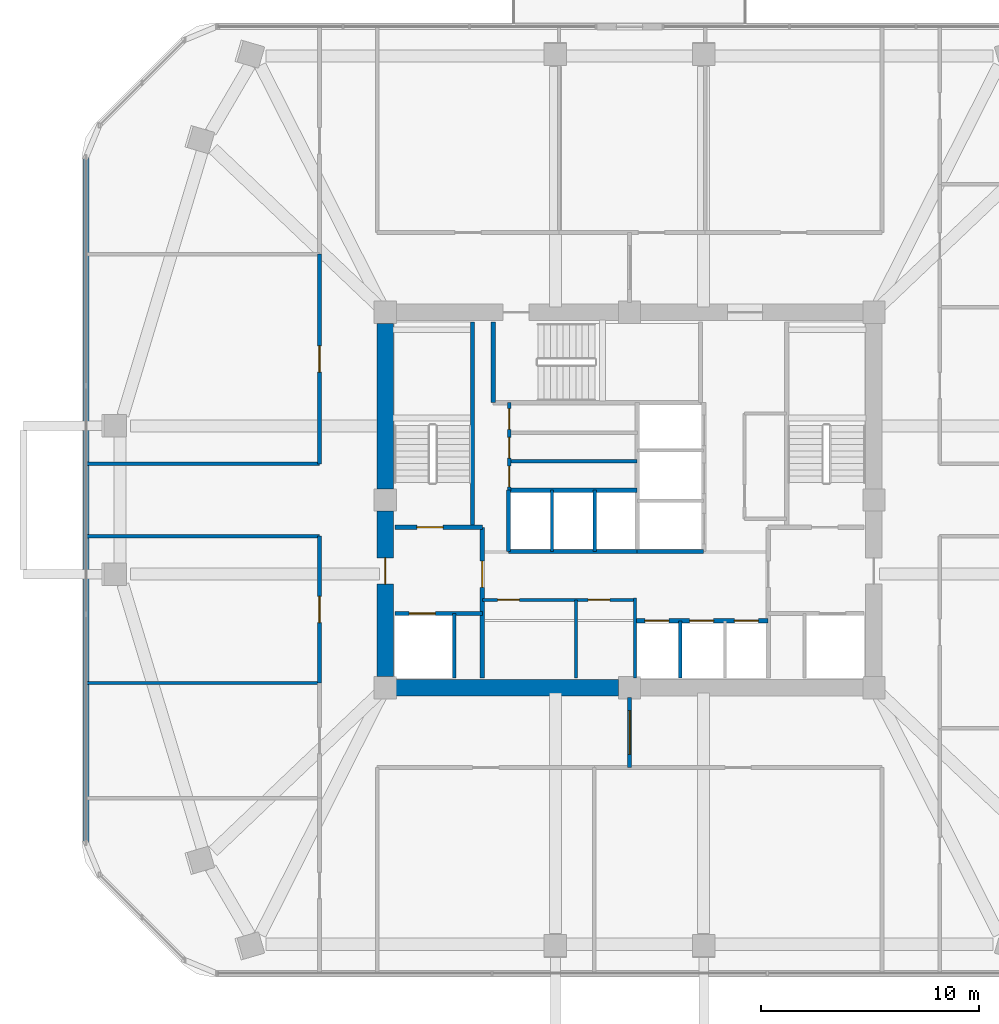
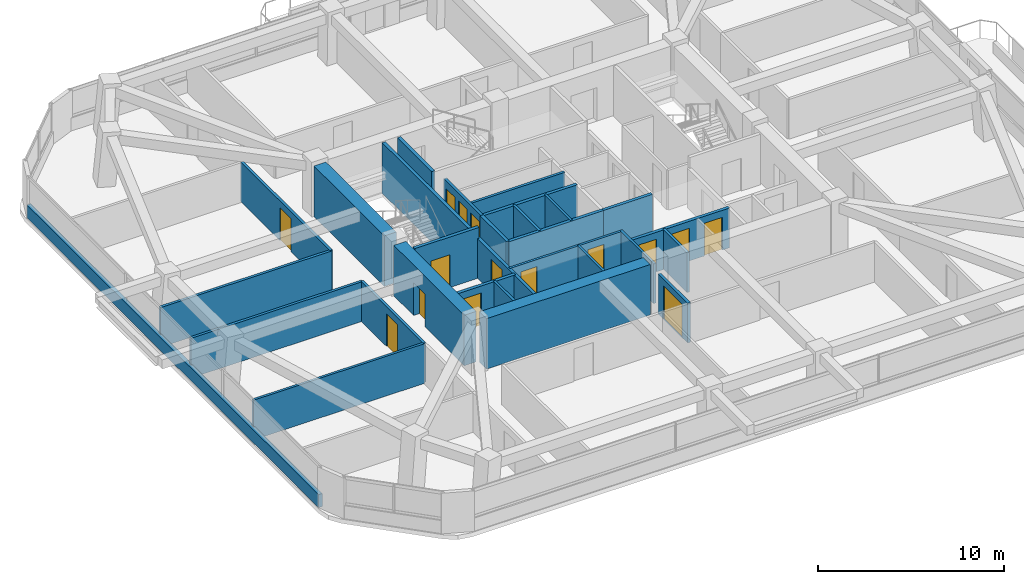
# One storey, part 9 of 13: 29 walls, 15 doors, 15 openings.
"""IFC4 building model written with IfcOpenShell, lengths in metres."""

import ifcopenshell
import ifcopenshell.guid

model = None  # the IFC model being written
_history = None  # IfcOwnerHistory: only IFC2X3 demands one
_inside = {}  # id of a spatial element -> (the spatial element, [elements in it])
_under = {}  # id of a project, library or spatial element -> (it, [spatial elements below it])
_declared = {}  # id of a project -> (the project, [libraries it declares])
_typed = {}  # id of a type object -> (the type object, [elements of that type])
_made_of = {}  # id of a material, layer set ... -> (it, [elements and type objects made of it])


def new_model(schema):
    """Start an empty IFC model of exactly this schema.

    Asked for "IFC4X3", IfcOpenShell would pick the latest addendum, in which some entities
    have other attributes; the version numbers below select the first issue.
    IFC2X3 requires an IfcOwnerHistory on every rooted entity: one is made here for all.
    """
    global model, _history
    if schema == "IFC4X3":
        model = ifcopenshell.file(schema_version=(4, 3, 0, 0))
    else:
        model = ifcopenshell.file(schema=schema)
    _inside.clear()
    _under.clear()
    _declared.clear()
    _typed.clear()
    _made_of.clear()
    _history = None
    if model.schema == "IFC2X3":
        org = make("IfcOrganization", Name="unknown")
        user = make(
            "IfcPersonAndOrganization",
            ThePerson=make("IfcPerson", FamilyName="unknown"),
            TheOrganization=org,
        )
        app = make(
            "IfcApplication",
            ApplicationDeveloper=org,
            Version="unknown",
            ApplicationFullName="unknown",
            ApplicationIdentifier="unknown",
        )
        _history = make(
            "IfcOwnerHistory",
            OwningUser=user,
            OwningApplication=app,
            ChangeAction="ADDED",
            CreationDate=0,
        )
    return model


def make(cls, **values):
    """One entity of the class cls with the attributes given. An attribute that is None is left unset."""
    return model.create_entity(
        cls, **{name: value for name, value in values.items() if value is not None}
    )


def rooted(cls, **values):
    """An entity with a GlobalId (a new one), such as an element, a storey or a relation."""
    return make(cls, GlobalId=ifcopenshell.guid.new(), OwnerHistory=_history, **values)


def si_unit(unit_type, name, prefix=None):
    """IfcSIUnit, for example si_unit("LENGTHUNIT", "METRE", prefix="MILLI")."""
    return make("IfcSIUnit", UnitType=unit_type, Prefix=prefix, Name=name)


def derived_unit(unit_type, elements):
    """IfcDerivedUnit: a product of units, each with its exponent."""
    return make(
        "IfcDerivedUnit",
        Elements=[
            make("IfcDerivedUnitElement", Unit=unit, Exponent=power)
            for unit, power in elements
        ],
        UnitType=unit_type,
    )


def assignment(units):
    """IfcUnitAssignment: the units of a project."""
    return None if units is None else make("IfcUnitAssignment", Units=units)


def point(xyz):
    """IfcCartesianPoint."""
    return None if xyz is None else make("IfcCartesianPoint", Coordinates=xyz)


def direction(xyz):
    """IfcDirection."""
    return None if xyz is None else make("IfcDirection", DirectionRatios=xyz)


def frame(location, z_axis=None, x_axis=None):
    """IfcAxis2Placement3D, a coordinate frame: its origin and axes. An axis left out is left unset."""
    return make(
        "IfcAxis2Placement3D",
        Location=point(location),
        Axis=direction(z_axis),
        RefDirection=direction(x_axis),
    )


def frame_2d(location, x_axis=None):
    """IfcAxis2Placement2D, a coordinate frame in the plane: its origin and x axis."""
    return make(
        "IfcAxis2Placement2D", Location=point(location), RefDirection=direction(x_axis)
    )


def origin():
    """The frame at (0, 0, 0) with its axes left unset."""
    return frame((0.0, 0.0, 0.0))


def place(relative_to, where):
    """IfcLocalPlacement: puts the frame where relative to a parent placement (None: the world)."""
    return make(
        "IfcLocalPlacement", PlacementRelTo=relative_to, RelativePlacement=where
    )


def context(
    kind, dimensions, precision=None, world=None, true_north=None, identifier=None
):
    """IfcGeometricRepresentationContext, for example the 3D "Model" context."""
    return make(
        "IfcGeometricRepresentationContext",
        ContextIdentifier=identifier,
        ContextType=kind,
        CoordinateSpaceDimension=dimensions,
        Precision=precision,
        WorldCoordinateSystem=world,
        TrueNorth=true_north,
    )


def subcontext(parent, identifier, kind, view, scale=None):
    """IfcGeometricRepresentationSubContext, for example "Body" below "Model"."""
    return make(
        "IfcGeometricRepresentationSubContext",
        ContextIdentifier=identifier,
        ContextType=kind,
        ParentContext=parent,
        TargetScale=scale,
        TargetView=view,
    )


def project(units=None, contexts=None):
    """IfcProject with its units and contexts."""
    return rooted(
        "IfcProject",
        Name="project",
        RepresentationContexts=contexts,
        UnitsInContext=assignment(units),
    )


def spatial(cls, under=None, at=None, **own):
    """A site, building, storey or space (cls), placed at a placement, below another one or the project."""
    s = rooted(cls, ObjectPlacement=at, **own)
    if under is not None:
        _under.setdefault(under.id(), (under, []))[1].append(s)
    return s


def profile(cls, at=None, kind="AREA", **sizes):
    """A parametric profile (cls). Its sizes go by their IFC names, for example OverallWidth=200.0."""
    return make(cls, ProfileType=kind, Position=at, **sizes)


def rectangle(**sizes):
    """IfcRectangleProfileDef."""
    return profile("IfcRectangleProfileDef", **sizes)


def extrude(swept, where, along, depth):
    """IfcExtrudedAreaSolid: the profile swept, set in the frame where, extruded along a direction by depth."""
    return make(
        "IfcExtrudedAreaSolid",
        SweptArea=swept,
        Position=where,
        ExtrudedDirection=direction(along),
        Depth=depth,
    )


def shape(context_of_items, identifier, shape_type, items):
    """IfcShapeRepresentation: the items that make up one representation, for example the "Body"."""
    return make(
        "IfcShapeRepresentation",
        ContextOfItems=context_of_items,
        RepresentationIdentifier=identifier,
        RepresentationType=shape_type,
        Items=items,
    )


def material(Name=None, Category=None):
    """IfcMaterial."""
    return make("IfcMaterial", Name=Name, Category=Category)


def layer(
    of_material, thickness, ventilated=None, Name=None, Category=None, Priority=None
):
    """IfcMaterialLayer: one layer of a wall or slab, of a material (None: an air gap)."""
    return make(
        "IfcMaterialLayer",
        Material=of_material,
        LayerThickness=thickness,
        IsVentilated=ventilated,
        Name=Name,
        Category=Category,
        Priority=Priority,
    )


def layer_set(layers, Name=None):
    """IfcMaterialLayerSet."""
    return make("IfcMaterialLayerSet", MaterialLayers=layers, LayerSetName=Name)


def made_of(thing, what):
    """Note that an element or type object is made of a material, layer set ...; save() writes the relation."""
    if what is not None:
        _made_of.setdefault(what.id(), (what, []))[1].append(thing)
    return thing


def type_object(cls, material=None, **own):
    """A type object (cls), such as IfcWallType, which elements share."""
    return made_of(rooted(cls, **own), material)


def element(
    cls,
    number,
    at=None,
    inside=None,
    cuts=None,
    type_object=None,
    material=None,
    context=None,
    identifier="Body",
    shape_type=None,
    held_by="IfcProductDefinitionShape",
    body=None,
    shapes=None,
    **own,
):
    """One element of the class cls, such as IfcWall. Its Tag is "e" and its number.

    at: its placement. inside: the storey or other place that contains it. cuts: it is an
    opening in that element (IfcRelVoidsElement). A single representation is given by context,
    identifier, shape_type and body (its items); several are given by shapes. held_by: the class
    of the entity that holds the representations. save() writes the other relations.
    """
    e = rooted(cls, Tag="e%d" % number, ObjectPlacement=at, **own)
    if body is not None:
        shapes = [shape(context, identifier, shape_type, body)]
    if shapes is not None:
        e.Representation = make(held_by, Representations=shapes)
    if inside is not None:
        _inside.setdefault(inside.id(), (inside, []))[1].append(e)
    if cuts is not None:
        rooted(
            "IfcRelVoidsElement", RelatingBuildingElement=cuts, RelatedOpeningElement=e
        )
    if type_object is not None:
        _typed.setdefault(type_object.id(), (type_object, []))[1].append(e)
    return made_of(e, material)


def fill(opening, filler):
    """IfcRelFillsElement: the door or window that sits in an opening."""
    return rooted(
        "IfcRelFillsElement",
        RelatingOpeningElement=opening,
        RelatedBuildingElement=filler,
    )


def aggregate(whole, parts):
    """IfcRelAggregates: a whole, such as a stair, and the parts it consists of."""
    return rooted("IfcRelAggregates", RelatingObject=whole, RelatedObjects=parts)


def save(model, path):
    """Write the relations noted so far, then the file.

    IfcRelAggregates (storeys below a building ...), IfcRelContainedInSpatialStructure (elements
    in a storey), IfcRelDefinesByType, IfcRelAssociatesMaterial and IfcRelDeclares: one each for
    every whole, place, type object, material and project.
    """
    for whole, parts in _under.values():
        aggregate(whole, parts)
    for where, things in _inside.values():
        rooted(
            "IfcRelContainedInSpatialStructure",
            RelatedElements=things,
            RelatingStructure=where,
        )
    for kind, things in _typed.values():
        rooted("IfcRelDefinesByType", RelatedObjects=things, RelatingType=kind)
    for what, things in _made_of.values():
        rooted("IfcRelAssociatesMaterial", RelatedObjects=things, RelatingMaterial=what)
    for by, libraries in _declared.values():
        rooted("IfcRelDeclares", RelatingContext=by, RelatedDefinitions=libraries)
    model.write(path)


model = new_model("IFC4")

# Units and contexts
model_context = context("Model", 3, precision=1e-05, world=origin(), true_north=direction((0.0, 1.0)))
body_context = subcontext(model_context, "Body", "Model", "MODEL_VIEW")
ifc_project = project(units=[si_unit("LENGTHUNIT", "METRE"), si_unit("AREAUNIT", "SQUARE_METRE"), si_unit("VOLUMEUNIT", "CUBIC_METRE"), si_unit("PLANEANGLEUNIT", "RADIAN"), si_unit("MASSUNIT", "GRAM", prefix="KILO"), derived_unit("THERMALTRANSMITTANCEUNIT", [(si_unit("POWERUNIT", "WATT"), 1), (si_unit("LENGTHUNIT", "METRE"), -2), (si_unit("THERMODYNAMICTEMPERATUREUNIT", "KELVIN"), -1)])], contexts=[model_context])

# Site, building, storey
site_placement = place(None, origin())
site = spatial("IfcSite", under=ifc_project, at=site_placement, CompositionType="ELEMENT")
building_placement = place(site_placement, origin())
building = spatial("IfcBuilding", under=site, at=building_placement, Name="Koralith Skygarden Medical Center", CompositionType="ELEMENT")
storey_placement = place(building_placement, frame((0.0, 0.0, 109.97998046875)))
storey = spatial("IfcBuildingStorey", under=building, at=storey_placement, Name="L28", CompositionType="ELEMENT", Elevation=109.97998046875)

# Wall, openings, doors
ifc_material_1 = material(Name="Gypsum Board Partition")
ifc_layer_1 = layer(ifc_material_1, 0.14990234375)
ifc_layer_set_1 = layer_set([ifc_layer_1], Name="Gypsum Board Partition")
wall_type_1 = type_object("IfcWallType", Name="Clinical Acoustic Partition 150", PredefinedType="PARTITIONING", material=ifc_layer_set_1)
wall_1_placement = place(storey_placement, frame((30.25, 21.320068359375, 0.0), z_axis=(0.0, 0.0, 1.0), x_axis=(1.0, 0.0, 0.0)))
wall_1 = element("IfcWall", 1, at=wall_1_placement, inside=storey, type_object=wall_type_1, Name="L28 Clinical Acoustic Partition 150 W-CORE-L28-FREED-LR-N", PredefinedType="PARTITIONING", context=body_context, shape_type="SweptSolid", body=[
    extrude(rectangle(XDim=7.0, YDim=0.14990234375, at=frame_2d((3.5, 0.0))), origin(), (0.0, 0.0, 1.0), 2.610107421875),
])
opening_1_placement = place(wall_1_placement, frame((0.699951171875, 0.0, 0.0)))
opening_1 = element("IfcOpeningElement", 2, at=opening_1_placement, cuts=wall_1, Name="Opening D-SUP", PredefinedType="OPENING", context=body_context, shape_type="SweptSolid", body=[
    extrude(rectangle(XDim=1.0, YDim=2.14990234375, at=frame_2d((0.5, 1.074951171875))), frame((0.0, 0.0849609375, 0.0), z_axis=(0.0, -1.0, 0.0), x_axis=(1.0, 0.0, 0.0)), (0.0, 0.0, 1.0), 0.169921875),
])
opening_2_placement = place(wall_1_placement, frame((4.85009765625, 0.0, 0.0)))
opening_2 = element("IfcOpeningElement", 3, at=opening_2_placement, cuts=wall_1, Name="Opening D-SUP", PredefinedType="OPENING", context=body_context, shape_type="SweptSolid", body=[
    extrude(rectangle(XDim=1.0, YDim=2.14990234375, at=frame_2d((0.5, 1.074951171875))), frame((0.0, 0.0849609375, 0.0), z_axis=(0.0, -1.0, 0.0), x_axis=(1.0, 0.0, 0.0)), (0.0, 0.0, 1.0), 0.169921875),
])
ifc_material_2 = material(Name="Aluminium 6063-T6", Category="aluminium")
door_type_1 = type_object("IfcDoorType", Name="Clinical Support Door D-SUP 1000", OperationType="NOTDEFINED", PredefinedType="DOOR", material=ifc_material_2)
door_1_placement = place(opening_1_placement, frame((1.0, 0.0, 0.0), z_axis=(0.0, 0.0, 1.0), x_axis=(-1.0, 0.0, 0.0)))
door_1 = element("IfcDoor", 4, at=door_1_placement, inside=storey, type_object=door_type_1, Name="L28 Medication Preparation Door", OperationType="SINGLE_SWING_LEFT", OverallHeight=2.14990234375, OverallWidth=1.0, PredefinedType="DOOR", context=body_context, shape_type="SweptSolid", body=[
    extrude(rectangle(XDim=1.0, YDim=2.14990234375, at=frame_2d((0.5, 1.074951171875))), frame((0.0, 0.02490234375, 0.0), z_axis=(0.0, -1.0, 0.0), x_axis=(1.0, 0.0, 0.0)), (0.0, 0.0, 1.0), 0.050048828125),
])
fill(opening_1, door_1)
door_2_placement = place(opening_2_placement, frame((1.0, 0.0, 0.0), z_axis=(0.0, 0.0, 1.0), x_axis=(-1.0, 0.0, 0.0)))
door_2 = element("IfcDoor", 5, at=door_2_placement, inside=storey, type_object=door_type_1, Name="L28 Telemetry Room Door", OperationType="SINGLE_SWING_RIGHT", OverallHeight=2.14990234375, OverallWidth=1.0, PredefinedType="DOOR", context=body_context, shape_type="SweptSolid", body=[
    extrude(rectangle(XDim=1.0, YDim=2.14990234375, at=frame_2d((0.5, 1.074951171875))), frame((0.0, 0.02490234375, 0.0), z_axis=(0.0, -1.0, 0.0), x_axis=(1.0, 0.0, 0.0)), (0.0, 0.0, 1.0), 0.050048828125),
])
fill(opening_2, door_2)

# Walls
wall_2_placement = place(storey_placement, frame((34.550048828125, 17.75, 0.0), z_axis=(0.0, 0.0, 1.0), x_axis=(0.0, 1.0, 0.0)))
element("IfcWall", 6, at=wall_2_placement, inside=storey, type_object=wall_type_1, Name="L28 Clinical Acoustic Partition 150 W-CORE-L28-FREED-LR-M", PredefinedType="PARTITIONING", context=body_context, shape_type="SweptSolid", body=[
    extrude(rectangle(XDim=3.570068359375, YDim=0.14990234375, at=frame_2d((1.78515625, 0.0))), origin(), (0.0, 0.0, 1.0), 2.610107421875),
])
wall_3_placement = place(storey_placement, frame((22.7900390625, 17.51708984375, 0.0), z_axis=(0.0, 0.0, 1.0), x_axis=(-1.0, 0.0, 0.0)))
element("IfcWall", 7, at=wall_3_placement, inside=storey, type_object=wall_type_1, Name="L28 Clinical Acoustic Partition 150 W-PART-L28-WS-02", PredefinedType="PARTITIONING", context=body_context, shape_type="SweptSolid", body=[
    extrude(rectangle(XDim=10.676025390625, YDim=0.14990234375, at=frame_2d((5.337890625, 0.0))), origin(), (0.0, 0.0, 1.0), 2.610107421875),
])
ifc_layer_2 = layer(ifc_material_1, 0.1650390625)
ifc_layer_set_2 = layer_set([ifc_layer_2], Name="Gypsum Board Partition")
wall_type_2 = type_object("IfcWallType", Name="Clinical Corridor Partition 165", PredefinedType="PARTITIONING", material=ifc_layer_set_2)
for number, where, z_axis, x_axis, name in (
    (8, (12.114013671875, 24.239990234375, 0.0), (0.0, 0.0, 1.0), (1.0, 0.0, 0.0), "L28 Clinical Corridor Partition 165 W-HCOR-L28-EWS-W"),
    (9, (12.114013671875, 27.56005859375, 0.0), (0.0, 0.0, 1.0), (1.0, 0.0, 0.0), "L28 Clinical Corridor Partition 165 W-HCOR-L28-EWN-W"),
):
    element("IfcWall", number, at=place(storey_placement, frame(where, z_axis=z_axis, x_axis=x_axis)), inside=storey, type_object=wall_type_2, Name=name, PredefinedType="PARTITIONING", context=body_context, shape_type="SweptSolid", body=[
        extrude(rectangle(XDim=10.676025390625, YDim=0.1650390625, at=frame_2d((5.337890625, 0.0))), origin(), (0.0, 0.0, 1.0), 2.610107421875),
    ])

# Wall, opening, door
wall_4_placement = place(storey_placement, frame((22.7900390625, 17.51708984375, 0.0), z_axis=(0.0, 0.0, 1.0), x_axis=(0.0, 1.0, 0.0)))
wall_4 = element("IfcWall", 10, at=wall_4_placement, inside=storey, type_object=wall_type_2, Name="L28 Clinical Corridor Partition 165 W-CORR-L28-WS-03", PredefinedType="PARTITIONING", context=body_context, shape_type="SweptSolid", body=[
    extrude(rectangle(XDim=6.722900390625, YDim=0.1650390625, at=frame_2d((3.361328125, 0.0))), origin(), (0.0, 0.0, 1.0), 2.610107421875),
])
opening_3_placement = place(wall_4_placement, frame((2.760986328125, 0.0, 0.0)))
opening_3 = element("IfcOpeningElement", 11, at=opening_3_placement, cuts=wall_4, Name="Opening D-CLN", PredefinedType="OPENING", context=body_context, shape_type="SweptSolid", body=[
    extrude(rectangle(XDim=1.199951171875, YDim=2.14990234375, at=frame_2d((0.60009765625, 1.074951171875))), frame((0.0, 0.092529296875, 0.0), z_axis=(0.0, -1.0, 0.0), x_axis=(1.0, 0.0, 0.0)), (0.0, 0.0, 1.0), 0.18505859375),
])
door_type_2 = type_object("IfcDoorType", Name="Clinical Corridor Door D-CLN 1200", OperationType="NOTDEFINED", PredefinedType="DOOR", material=ifc_material_2)
door_3_placement = place(opening_3_placement, frame((1.199951171875, 0.0, 0.0), z_axis=(0.0, 0.0, 1.0), x_axis=(-1.0, 0.0, 0.0)))
door_3 = element("IfcDoor", 12, at=door_3_placement, inside=storey, type_object=door_type_2, Name="L28 Staff Nutrition Pantry 08 Door", OperationType="SINGLE_SWING_LEFT", OverallHeight=2.14990234375, OverallWidth=1.199951171875, PredefinedType="DOOR", context=body_context, shape_type="SweptSolid", body=[
    extrude(rectangle(XDim=1.199951171875, YDim=2.14990234375, at=frame_2d((0.60009765625, 1.074951171875))), frame((0.0, 0.02490234375, 0.0), z_axis=(0.0, -1.0, 0.0), x_axis=(1.0, 0.0, 0.0)), (0.0, 0.0, 1.0), 0.050048828125),
])
fill(opening_3, door_3)

wall_5_placement = place(storey_placement, frame((22.7900390625, 27.56005859375, 0.0), z_axis=(0.0, 0.0, 1.0), x_axis=(0.0, 1.0, 0.0)))
wall_5 = element("IfcWall", 13, at=wall_5_placement, inside=storey, type_object=wall_type_2, Name="L28 Clinical Corridor Partition 165 W-CORR-L28-WN-01", PredefinedType="PARTITIONING", context=body_context, shape_type="SweptSolid", body=[
    extrude(rectangle(XDim=9.60400390625, YDim=0.1650390625, at=frame_2d((4.802001953125, 0.0))), origin(), (0.0, 0.0, 1.0), 2.610107421875),
])
opening_4_placement = place(wall_5_placement, frame((4.201904296875, 0.0, 0.0)))
opening_4 = element("IfcOpeningElement", 14, at=opening_4_placement, cuts=wall_5, Name="Opening D-CLN", PredefinedType="OPENING", context=body_context, shape_type="SweptSolid", body=[
    extrude(rectangle(XDim=1.199951171875, YDim=2.14990234375, at=frame_2d((0.60009765625, 1.074951171875))), frame((0.0, 0.092529296875, 0.0), z_axis=(0.0, -1.0, 0.0), x_axis=(1.0, 0.0, 0.0)), (0.0, 0.0, 1.0), 0.18505859375),
])
door_4_placement = place(opening_4_placement, frame((1.199951171875, 0.0, 0.0), z_axis=(0.0, 0.0, 1.0), x_axis=(-1.0, 0.0, 0.0)))
door_4 = element("IfcDoor", 15, at=door_4_placement, inside=storey, type_object=door_type_2, Name="L28 Clean Utility Supply Store 09 Door", OperationType="SINGLE_SWING_RIGHT", OverallHeight=2.14990234375, OverallWidth=1.199951171875, PredefinedType="DOOR", context=body_context, shape_type="SweptSolid", body=[
    extrude(rectangle(XDim=1.199951171875, YDim=2.14990234375, at=frame_2d((0.60009765625, 1.074951171875))), frame((0.0, 0.02490234375, 0.0), z_axis=(0.0, -1.0, 0.0), x_axis=(1.0, 0.0, 0.0)), (0.0, 0.0, 1.0), 0.050048828125),
])
fill(opening_4, door_4)

ifc_layer_3 = layer(ifc_material_1, 0.199951171875)
ifc_layer_set_3 = layer_set([ifc_layer_3], Name="Gypsum Board Partition")
wall_type_3 = type_object("IfcWallType", Name="Fire Shaft Wall 200", PredefinedType="SOLIDWALL", material=ifc_layer_set_3)
wall_6_placement = place(storey_placement, frame((26.25, 20.699951171875, 0.0), z_axis=(0.0, 0.0, 1.0), x_axis=(1.0, 0.0, 0.0)))
wall_6 = element("IfcWall", 16, at=wall_6_placement, inside=storey, type_object=wall_type_3, Name="L28 Fire Shaft Wall 200 W-CORE-L28-FF1-N", PredefinedType="SOLIDWALL", context=body_context, shape_type="SweptSolid", body=[
    extrude(rectangle(XDim=4.0, YDim=0.199951171875, at=frame_2d((2.0, 0.0))), origin(), (0.0, 0.0, 1.0), 2.610107421875),
])
opening_5_placement = place(wall_6_placement, frame((0.64990234375, 0.0, 0.0)))
opening_5 = element("IfcOpeningElement", 17, at=opening_5_placement, cuts=wall_6, Name="Opening LD-FF", PredefinedType="OPENING", context=body_context, shape_type="SweptSolid", body=[
    extrude(rectangle(XDim=1.199951171875, YDim=2.14990234375, at=frame_2d((0.60009765625, 1.074951171875))), frame((0.0, 0.10986328125, 0.0), z_axis=(0.0, -1.0, 0.0), x_axis=(1.0, 0.0, 0.0)), (0.0, 0.0, 1.0), 0.219970703125),
])
ifc_material_3 = material(Name="Steel ASTM A500 Grade C", Category="steel")
door_type_3 = type_object("IfcDoorType", Name="Fire Lift Sliding Landing Door LD-FF 1200", OperationType="NOTDEFINED", PredefinedType="DOOR", material=ifc_material_3)
door_5_placement = place(opening_5_placement, origin())
door_5 = element("IfcDoor", 18, at=door_5_placement, inside=storey, type_object=door_type_3, Name="L28 Fire Service Elevator FF1 Landing Door", OperationType="SLIDING_TO_LEFT", OverallHeight=2.14990234375, OverallWidth=1.199951171875, PredefinedType="DOOR", context=body_context, shape_type="SweptSolid", body=[
    extrude(rectangle(XDim=1.199951171875, YDim=2.14990234375, at=frame_2d((0.60009765625, 1.074951171875))), frame((0.0, 0.02490234375, 0.0), z_axis=(0.0, -1.0, 0.0), x_axis=(1.0, 0.0, 0.0)), (0.0, 0.0, 1.0), 0.050048828125),
])
fill(opening_5, door_5)

wall_7_placement = place(storey_placement, frame((30.25, 17.75, 0.0), z_axis=(0.0, 0.0, 1.0), x_axis=(0.0, 1.0, 0.0)))
wall_7 = element("IfcWall", 19, at=wall_7_placement, inside=storey, type_object=wall_type_3, Name="L28 Fire Shaft Wall 200 W-CORE-L28-FSAEW-E", PredefinedType="SOLIDWALL", context=body_context, shape_type="SweptSolid", body=[
    extrude(rectangle(XDim=6.89990234375, YDim=0.199951171875, at=frame_2d((3.449951171875, 0.0))), origin(), (0.0, 0.0, 1.0), 2.610107421875),
])
opening_6_placement = place(wall_7_placement, frame((4.14990234375, 0.0, 0.0)))
opening_6 = element("IfcOpeningElement", 20, at=opening_6_placement, cuts=wall_7, Name="Opening D-ST60", PredefinedType="OPENING", context=body_context, shape_type="SweptSolid", body=[
    extrude(rectangle(XDim=1.199951171875, YDim=2.14990234375, at=frame_2d((0.60009765625, 1.074951171875))), frame((0.0, 0.10986328125, 0.0), z_axis=(0.0, -1.0, 0.0), x_axis=(1.0, 0.0, 0.0)), (0.0, 0.0, 1.0), 0.219970703125),
])
door_type_4 = type_object("IfcDoorType", Name="Smokeproof Stair Fire Door FD60S 1200", OperationType="NOTDEFINED", PredefinedType="DOOR", material=ifc_material_3)
door_6_placement = place(opening_6_placement, origin())
door_6 = element("IfcDoor", 21, at=door_6_placement, inside=storey, type_object=door_type_4, Name="L28 West Firefighting Lobby Inner Fire Door", OperationType="SINGLE_SWING_LEFT", OverallHeight=2.14990234375, OverallWidth=1.199951171875, PredefinedType="DOOR", context=body_context, shape_type="SweptSolid", body=[
    extrude(rectangle(XDim=1.199951171875, YDim=2.14990234375, at=frame_2d((0.60009765625, 1.074951171875))), frame((0.0, 0.02490234375, 0.0), z_axis=(0.0, -1.0, 0.0), x_axis=(1.0, 0.0, 0.0)), (0.0, 0.0, 1.0), 0.050048828125),
])
fill(opening_6, door_6)

# Wall, openings, doors
wall_8_placement = place(storey_placement, frame((37.25, 20.360107421875, 0.0), z_axis=(0.0, 0.0, 1.0), x_axis=(1.0, 0.0, 0.0)))
wall_8 = element("IfcWall", 22, at=wall_8_placement, inside=storey, type_object=wall_type_3, Name="L28 Fire Shaft Wall 200 W-CORE-L28-PM-N", PredefinedType="SOLIDWALL", context=body_context, shape_type="SweptSolid", body=[
    extrude(rectangle(XDim=6.10009765625, YDim=0.199951171875, at=frame_2d((3.050048828125, 0.0))), origin(), (0.0, 0.0, 1.0), 2.610107421875),
])
opening_7_placement = place(wall_8_placement, frame((0.449951171875, 0.0, 0.0)))
opening_7 = element("IfcOpeningElement", 23, at=opening_7_placement, cuts=wall_8, Name="Opening LD-P", PredefinedType="OPENING", context=body_context, shape_type="SweptSolid", body=[
    extrude(rectangle(XDim=1.10009765625, YDim=2.14990234375, at=frame_2d((0.550048828125, 1.074951171875))), frame((0.0, 0.10986328125, 0.0), z_axis=(0.0, -1.0, 0.0), x_axis=(1.0, 0.0, 0.0)), (0.0, 0.0, 1.0), 0.219970703125),
])
opening_8_placement = place(wall_8_placement, frame((2.5, 0.0, 0.0)))
opening_8 = element("IfcOpeningElement", 24, at=opening_8_placement, cuts=wall_8, Name="Opening LD-P", PredefinedType="OPENING", context=body_context, shape_type="SweptSolid", body=[
    extrude(rectangle(XDim=1.10009765625, YDim=2.14990234375, at=frame_2d((0.550048828125, 1.074951171875))), frame((0.0, 0.10986328125, 0.0), z_axis=(0.0, -1.0, 0.0), x_axis=(1.0, 0.0, 0.0)), (0.0, 0.0, 1.0), 0.219970703125),
])
opening_9_placement = place(wall_8_placement, frame((4.550048828125, 0.0, 0.0)))
opening_9 = element("IfcOpeningElement", 25, at=opening_9_placement, cuts=wall_8, Name="Opening LD-P", PredefinedType="OPENING", context=body_context, shape_type="SweptSolid", body=[
    extrude(rectangle(XDim=1.10009765625, YDim=2.14990234375, at=frame_2d((0.550048828125, 1.074951171875))), frame((0.0, 0.10986328125, 0.0), z_axis=(0.0, -1.0, 0.0), x_axis=(1.0, 0.0, 0.0)), (0.0, 0.0, 1.0), 0.219970703125),
])
door_type_5 = type_object("IfcDoorType", Name="Passenger Lift Sliding Landing Door LD-P 1100", OperationType="NOTDEFINED", PredefinedType="DOOR", material=ifc_material_3)
door_7_placement = place(opening_7_placement, origin())
door_7 = element("IfcDoor", 26, at=door_7_placement, inside=storey, type_object=door_type_5, Name="L28 Passenger Elevator PM1 Landing Door", OperationType="SLIDING_TO_LEFT", OverallHeight=2.14990234375, OverallWidth=1.10009765625, PredefinedType="DOOR", context=body_context, shape_type="SweptSolid", body=[
    extrude(rectangle(XDim=1.10009765625, YDim=2.14990234375, at=frame_2d((0.550048828125, 1.074951171875))), frame((0.0, 0.02490234375, 0.0), z_axis=(0.0, -1.0, 0.0), x_axis=(1.0, 0.0, 0.0)), (0.0, 0.0, 1.0), 0.050048828125),
])
fill(opening_7, door_7)
door_8_placement = place(opening_8_placement, origin())
door_8 = element("IfcDoor", 27, at=door_8_placement, inside=storey, type_object=door_type_5, Name="L28 Passenger Elevator PM2 Landing Door", OperationType="SLIDING_TO_LEFT", OverallHeight=2.14990234375, OverallWidth=1.10009765625, PredefinedType="DOOR", context=body_context, shape_type="SweptSolid", body=[
    extrude(rectangle(XDim=1.10009765625, YDim=2.14990234375, at=frame_2d((0.550048828125, 1.074951171875))), frame((0.0, 0.02490234375, 0.0), z_axis=(0.0, -1.0, 0.0), x_axis=(1.0, 0.0, 0.0)), (0.0, 0.0, 1.0), 0.050048828125),
])
fill(opening_8, door_8)
door_9_placement = place(opening_9_placement, origin())
door_9 = element("IfcDoor", 28, at=door_9_placement, inside=storey, type_object=door_type_5, Name="L28 Passenger Elevator PM3 Landing Door", OperationType="SLIDING_TO_LEFT", OverallHeight=2.14990234375, OverallWidth=1.10009765625, PredefinedType="DOOR", context=body_context, shape_type="SweptSolid", body=[
    extrude(rectangle(XDim=1.10009765625, YDim=2.14990234375, at=frame_2d((0.550048828125, 1.074951171875))), frame((0.0, 0.02490234375, 0.0), z_axis=(0.0, -1.0, 0.0), x_axis=(1.0, 0.0, 0.0)), (0.0, 0.0, 1.0), 0.050048828125),
])
fill(opening_9, door_9)

# Walls
for number, where, z_axis, x_axis, name in (
    (29, (31.449951171875, 23.5400390625, 0.0), (0.0, 0.0, 1.0), (1.0, 0.0, 0.0), "L28 Fire Shaft Wall 200 W-CORE-L28-PH-S"),
    (30, (31.449951171875, 26.35009765625, 0.0), (0.0, 0.0, 1.0), (1.0, 0.0, 0.0), "L28 Fire Shaft Wall 200 W-CORE-L28-PH-N"),
):
    element("IfcWall", number, at=place(storey_placement, frame(where, z_axis=z_axis, x_axis=x_axis)), inside=storey, type_object=wall_type_3, Name=name, PredefinedType="SOLIDWALL", context=body_context, shape_type="SweptSolid", body=[
        extrude(rectangle(XDim=5.900146484375, YDim=0.199951171875, at=frame_2d((2.9501953125, 0.0))), origin(), (0.0, 0.0, 1.0), 2.610107421875),
    ])
wall_9_placement = place(storey_placement, frame((31.449951171875, 23.5400390625, 0.0), z_axis=(0.0, 0.0, 1.0), x_axis=(0.0, 1.0, 0.0)))
element("IfcWall", 31, at=wall_9_placement, inside=storey, type_object=wall_type_3, Name="L28 Fire Shaft Wall 200 W-CORE-L28-PH-W", PredefinedType="SOLIDWALL", context=body_context, shape_type="SweptSolid", body=[
    extrude(rectangle(XDim=2.81005859375, YDim=0.199951171875, at=frame_2d((1.405029296875, 0.0))), origin(), (0.0, 0.0, 1.0), 2.610107421875),
])
wall_10_placement = place(storey_placement, frame((37.35009765625, 23.5400390625, 0.0), z_axis=(0.0, 0.0, 1.0), x_axis=(1.0, 0.0, 0.0)))
element("IfcWall", 32, at=wall_10_placement, inside=storey, type_object=wall_type_3, Name="L28 Fire Shaft Wall 200 W-CORE-L28-SV-S", PredefinedType="SOLIDWALL", context=body_context, shape_type="SweptSolid", body=[
    extrude(rectangle(XDim=3.0498046875, YDim=0.199951171875, at=frame_2d((1.52490234375, 0.0))), origin(), (0.0, 0.0, 1.0), 2.610107421875),
])

# Wall, opening, door
ifc_layer_4 = layer(ifc_material_1, 0.179931640625)
ifc_layer_set_4 = layer_set([ifc_layer_4], Name="Gypsum Board Partition")
wall_type_4 = type_object("IfcWallType", Name="Group I-2 Smoke Barrier Wall 180", PredefinedType="PARTITIONING", material=ifc_layer_set_4)
wall_11_placement = place(storey_placement, frame((37.0, 13.639892578125, 0.0), z_axis=(0.0, 0.0, 1.0), x_axis=(0.0, 1.0, 0.0)))
wall_11 = element("IfcWall", 33, at=wall_11_placement, inside=storey, type_object=wall_type_4, Name="L28 Group I-2 Smoke Barrier Wall 180 W-SMK-L28-S", PredefinedType="PARTITIONING", context=body_context, shape_type="SweptSolid", body=[
    extrude(rectangle(XDim=3.210205078125, YDim=0.179931640625, at=frame_2d((1.60498046875, 0.0))), origin(), (0.0, 0.0, 1.0), 2.610107421875),
])
opening_10_placement = place(wall_11_placement, frame((0.60498046875, 0.0, 0.0)))
opening_10 = element("IfcOpeningElement", 34, at=opening_10_placement, cuts=wall_11, Name="Opening D-SMK", PredefinedType="OPENING", context=body_context, shape_type="SweptSolid", body=[
    extrude(rectangle(XDim=2.0, YDim=2.199951171875, at=frame_2d((1.0, 1.10009765625))), frame((0.0, 0.099853515625, 0.0), z_axis=(0.0, -1.0, 0.0), x_axis=(1.0, 0.0, 0.0)), (0.0, 0.0, 1.0), 0.199951171875),
])
door_type_6 = type_object("IfcDoorType", Name="Cross-Corridor Double Smoke Door FD60S 2000", OperationType="NOTDEFINED", PredefinedType="DOOR", material=ifc_material_3)
door_10_placement = place(opening_10_placement, frame((2.0, 0.0, 0.0), z_axis=(0.0, 0.0, 1.0), x_axis=(-1.0, 0.0, 0.0)))
door_10 = element("IfcDoor", 35, at=door_10_placement, inside=storey, type_object=door_type_6, Name="L28 S Smoke Compartment Cross-Corridor Door", OperationType="DOUBLE_DOOR_SINGLE_SWING", OverallHeight=2.199951171875, OverallWidth=2.0, PredefinedType="DOOR", context=body_context, shape_type="SweptSolid", body=[
    extrude(rectangle(XDim=2.0, YDim=2.199951171875, at=frame_2d((1.0, 1.10009765625))), frame((0.0, 0.02490234375, 0.0), z_axis=(0.0, -1.0, 0.0), x_axis=(1.0, 0.0, 0.0)), (0.0, 0.0, 1.0), 0.050048828125),
])
fill(opening_10, door_10)

# Walls
ifc_material_4 = material(Name="Warm Oolitic Limestone Cladding", Category="masonry")
ifc_layer_5 = layer(ifc_material_4, 0.239990234375)
ifc_layer_set_5 = layer_set([ifc_layer_5], Name="Warm Oolitic Limestone Cladding")
wall_type_5 = type_object("IfcWallType", Name="Limestone Spandrel Sill Backup Wall 240", PredefinedType="SOLIDWALL", material=ifc_layer_set_5)
wall_12_placement = place(storey_placement, frame((12.093994140625, 41.614013671875, 0.0), z_axis=(0.0, 0.0, 1.0), x_axis=(0.0, -1.0, 0.0)))
element("IfcWall", 36, at=wall_12_placement, inside=storey, type_object=wall_type_5, Name="L28 Sill Spandrel W", PredefinedType="SOLIDWALL", context=body_context, shape_type="SweptSolid", body=[
    extrude(rectangle(XDim=31.427978515625, YDim=0.239990234375, at=frame_2d((15.7138671875, 0.0))), origin(), (0.0, 0.0, 1.0), 0.85009765625),
])
ifc_material_5 = material(Name="Concrete C70/85", Category="concrete")
ifc_layer_6 = layer(ifc_material_5, 0.75)
ifc_layer_set_6 = layer_set([ifc_layer_6], Name="Concrete C70/85")
wall_type_6 = type_object("IfcWallType", Name="Mid Core Shear Wall 750", PredefinedType="SHEAR", material=ifc_layer_set_6)
wall_13_placement = place(storey_placement, frame((26.304931640625, 17.300048828125, 0.0), z_axis=(0.0, 0.0, 1.0), x_axis=(1.0, 0.0, 0.0)))
element("IfcWall", 37, at=wall_13_placement, inside=storey, type_object=wall_type_6, Name="L28 Core Shear Wall Segment 1", PredefinedType="SHEAR", context=body_context, shape_type="SweptSolid", body=[
    extrude(rectangle(XDim=10.190185546875, YDim=0.75, at=frame_2d((5.09521484375, 0.0))), origin(), (0.0, 0.0, 1.0), 3.320068359375),
])
wall_14_placement = place(storey_placement, frame((25.800048828125, 33.9951171875, 0.0), z_axis=(0.0, 0.0, 1.0), x_axis=(0.0, -1.0, 0.0)))
element("IfcWall", 38, at=wall_14_placement, inside=storey, type_object=wall_type_6, Name="L28 Core Shear Wall Segment 7", PredefinedType="SHEAR", context=body_context, shape_type="SweptSolid", body=[
    extrude(rectangle(XDim=7.590087890625, YDim=0.75, at=frame_2d((3.794921875, 0.0))), origin(), (0.0, 0.0, 1.0), 3.320068359375),
])

# Wall, opening, door
wall_15_placement = place(storey_placement, frame((25.800048828125, 25.39501953125, 0.0), z_axis=(0.0, 0.0, 1.0), x_axis=(0.0, -1.0, 0.0)))
wall_15 = element("IfcWall", 39, at=wall_15_placement, inside=storey, type_object=wall_type_6, Name="L28 Core Shear Wall Segment 8", PredefinedType="SHEAR", context=body_context, shape_type="SweptSolid", body=[
    extrude(rectangle(XDim=7.590087890625, YDim=0.75, at=frame_2d((3.794921875, 0.0))), origin(), (0.0, 0.0, 1.0), 3.320068359375),
])
opening_11_placement = place(wall_15_placement, frame((2.14501953125, 0.0, 0.0)))
opening_11 = element("IfcOpeningElement", 40, at=opening_11_placement, cuts=wall_15, Name="Opening D-ST60", PredefinedType="OPENING", context=body_context, shape_type="SweptSolid", body=[
    extrude(rectangle(XDim=1.199951171875, YDim=2.14990234375, at=frame_2d((0.60009765625, 1.074951171875))), frame((0.0, 0.385009765625, 0.0), z_axis=(0.0, -1.0, 0.0), x_axis=(1.0, 0.0, 0.0)), (0.0, 0.0, 1.0), 0.77001953125),
])
door_11_placement = place(opening_11_placement, frame((1.199951171875, 0.0, 0.0), z_axis=(0.0, 0.0, 1.0), x_axis=(-1.0, 0.0, 0.0)))
door_11 = element("IfcDoor", 41, at=door_11_placement, inside=storey, type_object=door_type_4, Name="L28 West Corridor to Firefighting Lobby Door", OperationType="SINGLE_SWING_LEFT", OverallHeight=2.14990234375, OverallWidth=1.199951171875, PredefinedType="DOOR", context=body_context, shape_type="SweptSolid", body=[
    extrude(rectangle(XDim=1.199951171875, YDim=2.14990234375, at=frame_2d((0.60009765625, 1.074951171875))), frame((0.0, 0.02490234375, 0.0), z_axis=(0.0, -1.0, 0.0), x_axis=(1.0, 0.0, 0.0)), (0.0, 0.0, 1.0), 0.050048828125),
])
fill(opening_11, door_11)

# Wall, openings, doors
ifc_layer_7 = layer(ifc_material_1, 0.1650390625)
ifc_layer_set_7 = layer_set([ifc_layer_7], Name="Gypsum Board Partition")
wall_type_7 = type_object("IfcWallType", Name="Plumbing Wet Wall 165", PredefinedType="PLUMBINGWALL", material=ifc_layer_set_7)
wall_16_placement = place(storey_placement, frame((31.47998046875, 26.320068359375, 0.0), z_axis=(0.0, 0.0, 1.0), x_axis=(0.0, 1.0, 0.0)))
wall_16 = element("IfcWall", 42, at=wall_16_placement, inside=storey, type_object=wall_type_7, Name="L28 Plumbing Wet Wall 165 W-CORE-L28-FLEX-W", PredefinedType="PLUMBINGWALL", context=body_context, shape_type="SweptSolid", body=[
    extrude(rectangle(XDim=4.0400390625, YDim=0.1650390625, at=frame_2d((2.02001953125, 0.0))), origin(), (0.0, 0.0, 1.0), 2.610107421875),
])
opening_12_placement = place(wall_16_placement, frame((0.179931640625, 0.0, 0.0)))
opening_12 = element("IfcOpeningElement", 43, at=opening_12_placement, cuts=wall_16, Name="Opening D-WC", PredefinedType="OPENING", context=body_context, shape_type="SweptSolid", body=[
    extrude(rectangle(XDim=0.949951171875, YDim=2.10009765625, at=frame_2d((0.47509765625, 1.050048828125))), frame((0.0, 0.092529296875, 0.0), z_axis=(0.0, -1.0, 0.0), x_axis=(1.0, 0.0, 0.0)), (0.0, 0.0, 1.0), 0.18505859375),
])
opening_13_placement = place(wall_16_placement, frame((1.5, 0.0, 0.0)))
opening_13 = element("IfcOpeningElement", 44, at=opening_13_placement, cuts=wall_16, Name="Opening D-WC", PredefinedType="OPENING", context=body_context, shape_type="SweptSolid", body=[
    extrude(rectangle(XDim=0.949951171875, YDim=2.10009765625, at=frame_2d((0.47509765625, 1.050048828125))), frame((0.0, 0.092529296875, 0.0), z_axis=(0.0, -1.0, 0.0), x_axis=(1.0, 0.0, 0.0)), (0.0, 0.0, 1.0), 0.18505859375),
])
opening_14_placement = place(wall_16_placement, frame((2.820068359375, 0.0, 0.0)))
opening_14 = element("IfcOpeningElement", 45, at=opening_14_placement, cuts=wall_16, Name="Opening D-WC", PredefinedType="OPENING", context=body_context, shape_type="SweptSolid", body=[
    extrude(rectangle(XDim=0.949951171875, YDim=2.10009765625, at=frame_2d((0.47509765625, 1.050048828125))), frame((0.0, 0.092529296875, 0.0), z_axis=(0.0, -1.0, 0.0), x_axis=(1.0, 0.0, 0.0)), (0.0, 0.0, 1.0), 0.18505859375),
])
door_type_7 = type_object("IfcDoorType", Name="Accessible Toilet Door D-WC 950", OperationType="NOTDEFINED", PredefinedType="DOOR", material=ifc_material_2)
door_12_placement = place(opening_12_placement, frame((0.949951171875, 0.0, 0.0), z_axis=(0.0, 0.0, 1.0), x_axis=(-1.0, 0.0, 0.0)))
door_12 = element("IfcDoor", 46, at=door_12_placement, inside=storey, type_object=door_type_7, Name="L28 Core Accessible WC Door", OperationType="SINGLE_SWING_LEFT", OverallHeight=2.10009765625, OverallWidth=0.949951171875, PredefinedType="DOOR", context=body_context, shape_type="SweptSolid", body=[
    extrude(rectangle(XDim=0.949951171875, YDim=2.10009765625, at=frame_2d((0.47509765625, 1.050048828125))), frame((0.0, 0.02490234375, 0.0), z_axis=(0.0, -1.0, 0.0), x_axis=(1.0, 0.0, 0.0)), (0.0, 0.0, 1.0), 0.050048828125),
])
fill(opening_12, door_12)
door_13_placement = place(opening_13_placement, frame((0.949951171875, 0.0, 0.0), z_axis=(0.0, 0.0, 1.0), x_axis=(-1.0, 0.0, 0.0)))
door_13 = element("IfcDoor", 47, at=door_13_placement, inside=storey, type_object=door_type_7, Name="L28 Staff Pantry Door", OperationType="SINGLE_SWING_LEFT", OverallHeight=2.10009765625, OverallWidth=0.949951171875, PredefinedType="DOOR", context=body_context, shape_type="SweptSolid", body=[
    extrude(rectangle(XDim=0.949951171875, YDim=2.10009765625, at=frame_2d((0.47509765625, 1.050048828125))), frame((0.0, 0.02490234375, 0.0), z_axis=(0.0, -1.0, 0.0), x_axis=(1.0, 0.0, 0.0)), (0.0, 0.0, 1.0), 0.050048828125),
])
fill(opening_13, door_13)
door_14_placement = place(opening_14_placement, frame((0.949951171875, 0.0, 0.0), z_axis=(0.0, 0.0, 1.0), x_axis=(-1.0, 0.0, 0.0)))
door_14 = element("IfcDoor", 48, at=door_14_placement, inside=storey, type_object=door_type_7, Name="L28 IT Comms Door", OperationType="SINGLE_SWING_RIGHT", OverallHeight=2.10009765625, OverallWidth=0.949951171875, PredefinedType="DOOR", context=body_context, shape_type="SweptSolid", body=[
    extrude(rectangle(XDim=0.949951171875, YDim=2.10009765625, at=frame_2d((0.47509765625, 1.050048828125))), frame((0.0, 0.02490234375, 0.0), z_axis=(0.0, -1.0, 0.0), x_axis=(1.0, 0.0, 0.0)), (0.0, 0.0, 1.0), 0.050048828125),
])
fill(opening_14, door_14)

# Walls
wall_17_placement = place(storey_placement, frame((31.47998046875, 27.679931640625, 0.0), z_axis=(0.0, 0.0, 1.0), x_axis=(1.0, 0.0, 0.0)))
element("IfcWall", 49, at=wall_17_placement, inside=storey, type_object=wall_type_7, Name="L28 Plumbing Wet Wall 165 W-CORE-L28-FLEX-H1A", PredefinedType="PLUMBINGWALL", context=body_context, shape_type="SweptSolid", body=[
    extrude(rectangle(XDim=5.8701171875, YDim=0.1650390625, at=frame_2d((2.93505859375, 0.0))), origin(), (0.0, 0.0, 1.0), 2.610107421875),
])
ifc_layer_8 = layer(ifc_material_1, 0.14990234375)
ifc_layer_set_8 = layer_set([ifc_layer_8], Name="Gypsum Board Partition")
wall_type_8 = type_object("IfcWallType", Name="Shaft Partition Wall 150", PredefinedType="PARTITIONING", material=ifc_layer_set_8)
wall_18_placement = place(storey_placement, frame((28.969970703125, 17.75, 0.0), z_axis=(0.0, 0.0, 1.0), x_axis=(0.0, 1.0, 0.0)))
element("IfcWall", 50, at=wall_18_placement, inside=storey, type_object=wall_type_8, Name="L28 Shaft Partition Wall 150 W-CORE-L28-RSRW-DIV", PredefinedType="PARTITIONING", context=body_context, shape_type="SweptSolid", body=[
    extrude(rectangle(XDim=2.949951171875, YDim=0.14990234375, at=frame_2d((1.47509765625, 0.0))), origin(), (0.0, 0.0, 1.0), 2.610107421875),
])
wall_19_placement = place(storey_placement, frame((39.320068359375, 17.75, 0.0), z_axis=(0.0, 0.0, 1.0), x_axis=(0.0, 1.0, 0.0)))
element("IfcWall", 51, at=wall_19_placement, inside=storey, type_object=wall_type_8, Name="L28 Shaft Partition Wall 150 W-CORE-L28-PM-D1", PredefinedType="PARTITIONING", context=body_context, shape_type="SweptSolid", body=[
    extrude(rectangle(XDim=2.610107421875, YDim=0.14990234375, at=frame_2d((1.30517578125, 0.0))), origin(), (0.0, 0.0, 1.0), 2.610107421875),
])
wall_20_placement = place(storey_placement, frame((37.25, 17.75, 0.0), z_axis=(0.0, 0.0, 1.0), x_axis=(0.0, 1.0, 0.0)))
element("IfcWall", 52, at=wall_20_placement, inside=storey, type_object=wall_type_8, Name="L28 Shaft Partition Wall 150 W-CORE-L28-PL-PM-SEP", PredefinedType="PARTITIONING", context=body_context, shape_type="SweptSolid", body=[
    extrude(rectangle(XDim=3.64990234375, YDim=0.14990234375, at=frame_2d((1.824951171875, 0.0))), origin(), (0.0, 0.0, 1.0), 2.610107421875),
])
for number, where, z_axis, x_axis, name in (
    (53, (33.449951171875, 23.5400390625, 0.0), (0.0, 0.0, 1.0), (0.0, 1.0, 0.0), "L28 Shaft Partition Wall 150 W-CORE-L28-PH-D1"),
    (54, (35.39990234375, 23.5400390625, 0.0), (0.0, 0.0, 1.0), (0.0, 1.0, 0.0), "L28 Shaft Partition Wall 150 W-CORE-L28-PH-D2"),
):
    element("IfcWall", number, at=place(storey_placement, frame(where, z_axis=z_axis, x_axis=x_axis)), inside=storey, type_object=wall_type_8, Name=name, PredefinedType="PARTITIONING", context=body_context, shape_type="SweptSolid", body=[
        extrude(rectangle(XDim=2.81005859375, YDim=0.14990234375, at=frame_2d((1.405029296875, 0.0))), origin(), (0.0, 0.0, 1.0), 2.610107421875),
    ])
ifc_material_6 = material(Name="Concrete C45/55", Category="concrete")
ifc_layer_9 = layer(ifc_material_6, 0.199951171875)
ifc_layer_set_9 = layer_set([ifc_layer_9], Name="Concrete C45/55")
wall_type_9 = type_object("IfcWallType", Name="Structural Stair Shaft Wall 200", PredefinedType="SHEAR", material=ifc_layer_set_9)
wall_21_placement = place(storey_placement, frame((29.800048828125, 24.64990234375, 0.0), z_axis=(0.0, 0.0, 1.0), x_axis=(0.0, 1.0, 0.0)))
element("IfcWall", 55, at=wall_21_placement, inside=storey, type_object=wall_type_9, Name="L28 Structural Stair Shaft Wall 200 W-CORE-L28-ST1-E", PredefinedType="SHEAR", context=body_context, shape_type="SweptSolid", body=[
    extrude(rectangle(XDim=9.400146484375, YDim=0.199951171875, at=frame_2d((4.7001953125, 0.0))), origin(), (0.0, 0.0, 1.0), 3.320068359375),
])

# Wall, opening, door
wall_22_placement = place(storey_placement, frame((26.25, 24.64990234375, 0.0), z_axis=(0.0, 0.0, 1.0), x_axis=(1.0, 0.0, 0.0)))
wall_22 = element("IfcWall", 56, at=wall_22_placement, inside=storey, type_object=wall_type_9, Name="L28 Structural Stair Shaft Wall 200 W-CORE-L28-ST1-S", PredefinedType="SHEAR", context=body_context, shape_type="SweptSolid", body=[
    extrude(rectangle(XDim=4.0, YDim=0.199951171875, at=frame_2d((2.0, 0.0))), origin(), (0.0, 0.0, 1.0), 3.320068359375),
])
opening_15_placement = place(wall_22_placement, frame((1.0, 0.0, 0.0)))
opening_15 = element("IfcOpeningElement", 57, at=opening_15_placement, cuts=wall_22, Name="Opening D-ST60", PredefinedType="OPENING", context=body_context, shape_type="SweptSolid", body=[
    extrude(rectangle(XDim=1.199951171875, YDim=2.14990234375, at=frame_2d((0.60009765625, 1.074951171875))), frame((0.0, 0.10986328125, 0.0), z_axis=(0.0, -1.0, 0.0), x_axis=(1.0, 0.0, 0.0)), (0.0, 0.0, 1.0), 0.219970703125),
])
door_15_placement = place(opening_15_placement, origin())
door_15 = element("IfcDoor", 58, at=door_15_placement, inside=storey, type_object=door_type_4, Name="L28 Exit Stair ST1 Fire Door", OperationType="SINGLE_SWING_LEFT", OverallHeight=2.14990234375, OverallWidth=1.199951171875, PredefinedType="DOOR", context=body_context, shape_type="SweptSolid", body=[
    extrude(rectangle(XDim=1.199951171875, YDim=2.14990234375, at=frame_2d((0.60009765625, 1.074951171875))), frame((0.0, 0.02490234375, 0.0), z_axis=(0.0, -1.0, 0.0), x_axis=(1.0, 0.0, 0.0)), (0.0, 0.0, 1.0), 0.050048828125),
])
fill(opening_15, door_15)

# Wall
wall_23_placement = place(storey_placement, frame((30.75, 30.360107421875, 0.0), z_axis=(0.0, 0.0, 1.0), x_axis=(0.0, 1.0, 0.0)))
element("IfcWall", 59, at=wall_23_placement, inside=storey, type_object=wall_type_9, Name="L28 Structural Stair Shaft Wall 200 W-CORE-L28-ST3-W", PredefinedType="SHEAR", context=body_context, shape_type="SweptSolid", body=[
    extrude(rectangle(XDim=3.68994140625, YDim=0.199951171875, at=frame_2d((1.844970703125, 0.0))), origin(), (0.0, 0.0, 1.0), 3.320068359375),
])

save(model, "model.ifc")
